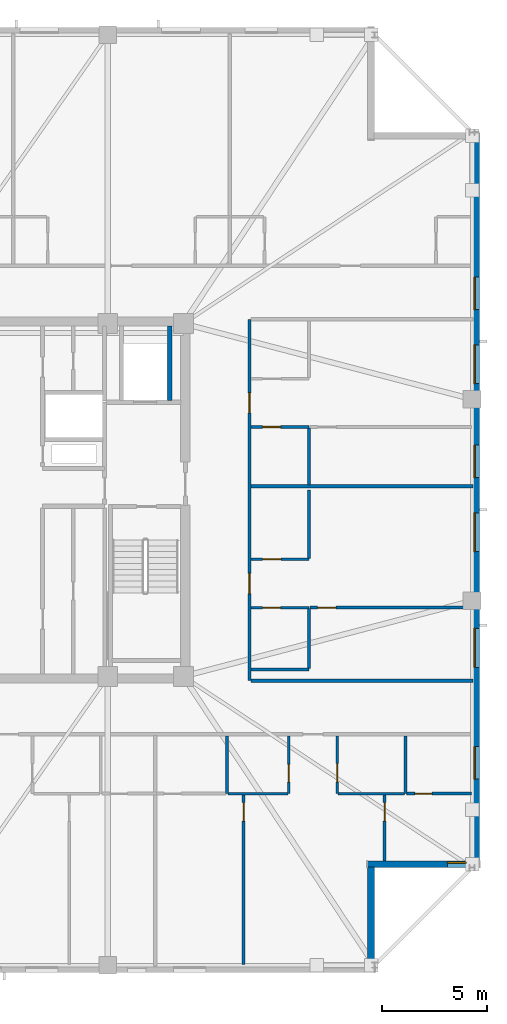
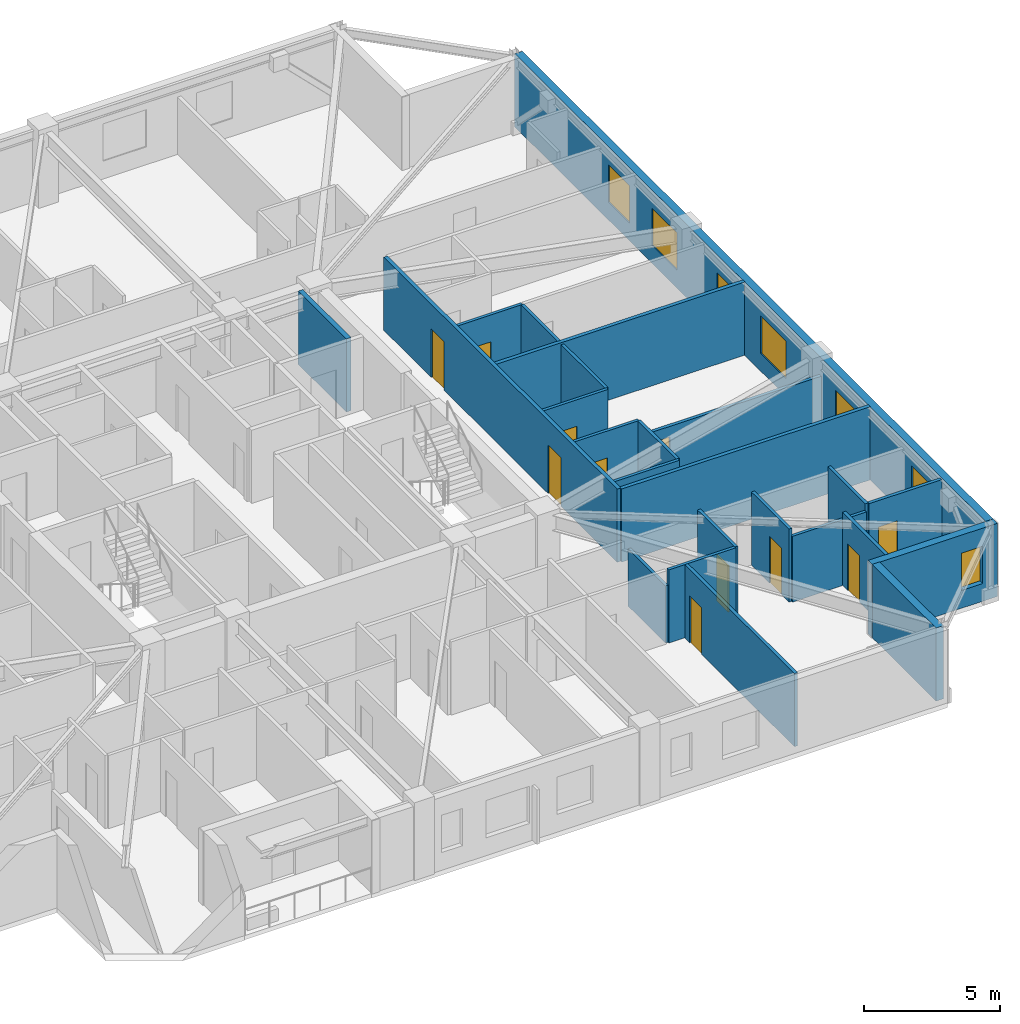
# One storey, part 10 of 17: 24 walls, 11 doors, 7 windows, 18 openings.
"""IFC4 building model written with IfcOpenShell, lengths in metres."""

from ifc_helpers import new_model, si_unit, direction, frame, frame_2d, origin, place, context, subcontext, project, spatial, rectangle, extrude, material, layer, layer_set, type_object, element, fill, save


model = new_model("IFC4")

# Units and contexts
model_context = context("Model", 3, precision=1e-05, world=origin(), true_north=direction((0.0, 1.0)))
body_context = subcontext(model_context, "Body", "Model", "MODEL_VIEW")
ifc_project = project(units=[si_unit("LENGTHUNIT", "METRE"), si_unit("AREAUNIT", "SQUARE_METRE"), si_unit("VOLUMEUNIT", "CUBIC_METRE"), si_unit("PLANEANGLEUNIT", "RADIAN"), si_unit("MASSUNIT", "GRAM", prefix="KILO")], contexts=[model_context])

# Site, building, storey
site_placement = place(None, origin())
site = spatial("IfcSite", under=ifc_project, at=site_placement, CompositionType="ELEMENT")
building_placement = place(site_placement, origin())
building = spatial("IfcBuilding", under=site, at=building_placement, Name="Cairnveth Concourse Tower", CompositionType="ELEMENT")
storey_placement = place(building_placement, frame((0.0, 0.0, 258.5)))
storey = spatial("IfcBuildingStorey", under=building, at=storey_placement, Name="L71", CompositionType="ELEMENT", Elevation=258.5)

# Wall, openings, doors
ifc_material_1 = material(Name="Gypsum Plasterboard Partition", Category="gypsum")
ifc_layer_1 = layer(ifc_material_1, 0.159912109375)
ifc_layer_set_1 = layer_set([ifc_layer_1], Name="Gypsum Plasterboard Partition")
wall_type_1 = type_object("IfcWallType", Name="ACOUSTIC PARTY WALL 180", PredefinedType="PARTITIONING", material=ifc_layer_set_1)
wall_1_placement = place(storey_placement, frame((63.550048828125, 30.39990234375, 0.0), z_axis=(0.0, 0.0, 1.0), x_axis=(0.0, 1.0, 0.0)))
wall_1 = element("IfcWall", 1, at=wall_1_placement, inside=storey, type_object=wall_type_1, Name="Interior Wall IW-L71-039", PredefinedType="PARTITIONING", context=body_context, shape_type="SweptSolid", body=[
    extrude(rectangle(XDim=17.2001953125, YDim=0.159912109375, at=frame_2d((8.60009765625, 0.0))), origin(), (0.0, 0.0, 1.0), 3.2900390625),
])
opening_1_placement = place(wall_1_placement, frame((4.14501953125, 0.0, 0.0)))
opening_1 = element("IfcOpeningElement", 2, at=opening_1_placement, cuts=wall_1, Name="Opening ID10", PredefinedType="OPENING", context=body_context, shape_type="SweptSolid", body=[
    extrude(rectangle(XDim=0.9599609375, YDim=2.179931640625, at=frame_2d((0.47998046875, 1.08984375))), frame((0.0, 0.08984375, 0.0), z_axis=(0.0, -1.0, 0.0), x_axis=(1.0, 0.0, 0.0)), (0.0, 0.0, 1.0), 0.179931640625),
])
opening_2_placement = place(wall_1_placement, frame((12.7451171875, 0.0, 0.0)))
opening_2 = element("IfcOpeningElement", 3, at=opening_2_placement, cuts=wall_1, Name="Opening ID10", PredefinedType="OPENING", context=body_context, shape_type="SweptSolid", body=[
    extrude(rectangle(XDim=0.9599609375, YDim=2.179931640625, at=frame_2d((0.47998046875, 1.08984375))), frame((0.0, 0.08984375, 0.0), z_axis=(0.0, -1.0, 0.0), x_axis=(1.0, 0.0, 0.0)), (0.0, 0.0, 1.0), 0.179931640625),
])
ifc_material_2 = material(Name="Solid Core Hardwood Timber Leaf", Category="wood")
door_type_1 = type_object("IfcDoorType", Name="FLAT ENTRANCE DOOR 960X2150", OperationType="NOTDEFINED", PredefinedType="DOOR", material=ifc_material_2)
door_1_placement = place(opening_1_placement, origin())
door_1 = element("IfcDoor", 4, at=door_1_placement, inside=storey, type_object=door_type_1, Name="Apartment L71E1 Entrance Door", OperationType="SINGLE_SWING_RIGHT", OverallHeight=2.179931640625, OverallWidth=0.9599609375, PredefinedType="DOOR", context=body_context, shape_type="SweptSolid", body=[
    extrude(rectangle(XDim=0.9599609375, YDim=2.179931640625, at=frame_2d((0.47998046875, 1.08984375))), frame((0.0, 0.02490234375, 0.0), z_axis=(0.0, -1.0, 0.0), x_axis=(1.0, 0.0, 0.0)), (0.0, 0.0, 1.0), 0.050048828125),
])
fill(opening_1, door_1)
door_2_placement = place(opening_2_placement, origin())
door_2 = element("IfcDoor", 5, at=door_2_placement, inside=storey, type_object=door_type_1, Name="Apartment L71E2 Entrance Door", OperationType="SINGLE_SWING_RIGHT", OverallHeight=2.179931640625, OverallWidth=0.9599609375, PredefinedType="DOOR", context=body_context, shape_type="SweptSolid", body=[
    extrude(rectangle(XDim=0.9599609375, YDim=2.179931640625, at=frame_2d((0.47998046875, 1.08984375))), frame((0.0, 0.02490234375, 0.0), z_axis=(0.0, -1.0, 0.0), x_axis=(1.0, 0.0, 0.0)), (0.0, 0.0, 1.0), 0.050048828125),
])
fill(opening_2, door_2)

# Walls
wall_2_placement = place(storey_placement, frame((63.614990234375, 30.39990234375, 0.0), z_axis=(0.0, 0.0, 1.0), x_axis=(1.0, 0.0, 0.0)))
element("IfcWall", 6, at=wall_2_placement, inside=storey, type_object=wall_type_1, Name="Interior Wall IW-L71-042", PredefinedType="PARTITIONING", context=body_context, shape_type="SweptSolid", body=[
    extrude(rectangle(XDim=10.580078125, YDim=0.159912109375, at=frame_2d((5.2900390625, 0.0))), origin(), (0.0, 0.0, 1.0), 3.2900390625),
])
wall_3_placement = place(storey_placement, frame((63.6298828125, 39.64990234375, 0.0), z_axis=(0.0, 0.0, 1.0), x_axis=(1.0, 0.0, 0.0)))
element("IfcWall", 7, at=wall_3_placement, inside=storey, type_object=wall_type_1, Name="Interior Wall IW-L71-105", PredefinedType="PARTITIONING", context=body_context, shape_type="SweptSolid", body=[
    extrude(rectangle(XDim=10.565185546875, YDim=0.159912109375, at=frame_2d((5.28271484375, 0.0))), origin(), (0.0, 0.0, 1.0), 3.2900390625),
])
ifc_material_3 = material(Name="Concrete N50 (50 MPa)", Category="concrete")
ifc_layer_2 = layer(ifc_material_3, 0.199951171875)
ifc_layer_set_2 = layer_set([ifc_layer_2], Name="Concrete N50 (50 MPa)")
wall_type_2 = type_object("IfcWallType", Name="FIRE SHAFT WALL 200", PredefinedType="SOLIDWALL", material=ifc_layer_set_2)
wall_4_placement = place(storey_placement, frame((59.75, 43.735107421875, 0.0), z_axis=(0.0, 0.0, 1.0), x_axis=(0.0, 1.0, 0.0)))
element("IfcWall", 8, at=wall_4_placement, inside=storey, type_object=wall_type_2, Name="Interior Wall IW-L71-024", PredefinedType="SOLIDWALL", context=body_context, shape_type="SweptSolid", body=[
    extrude(rectangle(XDim=3.554931640625, YDim=0.199951171875, at=frame_2d((1.77734375, 0.0))), origin(), (0.0, 0.0, 1.0), 3.2900390625),
])

# Wall, opening, door
ifc_layer_3 = layer(ifc_material_1, 0.139892578125)
ifc_layer_set_3 = layer_set([ifc_layer_3], Name="Gypsum Plasterboard Partition")
wall_type_3 = type_object("IfcWallType", Name="GYPSUM STUD PARTITION 140", PredefinedType="PARTITIONING", material=ifc_layer_set_3)
wall_5_placement = place(storey_placement, frame((63.267578125, 16.8798828125, 0.0), z_axis=(0.0, 0.0, 1.0), x_axis=(0.0, 1.0, 0.0)))
wall_5 = element("IfcWall", 9, at=wall_5_placement, inside=storey, type_object=wall_type_3, Name="Interior Wall IW-L71-071", PredefinedType="PARTITIONING", context=body_context, shape_type="SweptSolid", body=[
    extrude(rectangle(XDim=8.087646484375, YDim=0.139892578125, at=frame_2d((4.0439453125, 0.0))), origin(), (0.0, 0.0, 1.0), 3.2900390625),
])
opening_3_placement = place(wall_5_placement, frame((6.827392578125, 0.0, 0.0)))
opening_3 = element("IfcOpeningElement", 10, at=opening_3_placement, cuts=wall_5, Name="Opening ID18", PredefinedType="OPENING", context=body_context, shape_type="SweptSolid", body=[
    extrude(rectangle(XDim=0.8798828125, YDim=2.10009765625, at=frame_2d((0.43994140625, 1.050048828125))), frame((0.0, 0.079833984375, 0.0), z_axis=(0.0, -1.0, 0.0), x_axis=(1.0, 0.0, 0.0)), (0.0, 0.0, 1.0), 0.159912109375),
])
door_type_2 = type_object("IfcDoorType", Name="INTERIOR SINGLE DOOR 880X2100", OperationType="NOTDEFINED", PredefinedType="DOOR", material=ifc_material_2)
door_3_placement = place(opening_3_placement, origin())
door_3 = element("IfcDoor", 11, at=door_3_placement, inside=storey, type_object=door_type_2, Name="L71S3 Master Bedroom Door", OperationType="SINGLE_SWING_LEFT", OverallHeight=2.10009765625, OverallWidth=0.8798828125, PredefinedType="DOOR", context=body_context, shape_type="SweptSolid", body=[
    extrude(rectangle(XDim=0.8798828125, YDim=2.10009765625, at=frame_2d((0.43994140625, 1.050048828125))), frame((0.0, 0.02490234375, 0.0), z_axis=(0.0, -1.0, 0.0), x_axis=(1.0, 0.0, 0.0)), (0.0, 0.0, 1.0), 0.050048828125),
])
fill(opening_3, door_3)

wall_6_placement = place(storey_placement, frame((69.97998046875, 21.804931640625, 0.0), z_axis=(0.0, 0.0, 1.0), x_axis=(0.0, 1.0, 0.0)))
wall_6 = element("IfcWall", 12, at=wall_6_placement, inside=storey, type_object=wall_type_3, Name="Interior Wall IW-L71-073", PredefinedType="PARTITIONING", context=body_context, shape_type="SweptSolid", body=[
    extrude(rectangle(XDim=3.16259765625, YDim=0.139892578125, at=frame_2d((1.581298828125, 0.0))), origin(), (0.0, 0.0, 1.0), 3.2900390625),
])
opening_4_placement = place(wall_6_placement, frame((1.902587890625, 0.0, 0.0)))
opening_4 = element("IfcOpeningElement", 13, at=opening_4_placement, cuts=wall_6, Name="Opening ID18", PredefinedType="OPENING", context=body_context, shape_type="SweptSolid", body=[
    extrude(rectangle(XDim=0.8798828125, YDim=2.10009765625, at=frame_2d((0.43994140625, 1.050048828125))), frame((0.0, 0.079833984375, 0.0), z_axis=(0.0, -1.0, 0.0), x_axis=(1.0, 0.0, 0.0)), (0.0, 0.0, 1.0), 0.159912109375),
])
door_4_placement = place(opening_4_placement, origin())
door_4 = element("IfcDoor", 14, at=door_4_placement, inside=storey, type_object=door_type_2, Name="L71S3 Bedroom 2 Door", OperationType="SINGLE_SWING_LEFT", OverallHeight=2.10009765625, OverallWidth=0.8798828125, PredefinedType="DOOR", context=body_context, shape_type="SweptSolid", body=[
    extrude(rectangle(XDim=0.8798828125, YDim=2.10009765625, at=frame_2d((0.43994140625, 1.050048828125))), frame((0.0, 0.02490234375, 0.0), z_axis=(0.0, -1.0, 0.0), x_axis=(1.0, 0.0, 0.0)), (0.0, 0.0, 1.0), 0.050048828125),
])
fill(opening_4, door_4)

wall_7_placement = place(storey_placement, frame((71.023681640625, 25.017578125, 0.0), z_axis=(0.0, 0.0, 1.0), x_axis=(1.0, 0.0, 0.0)))
wall_7 = element("IfcWall", 15, at=wall_7_placement, inside=storey, type_object=wall_type_3, Name="Interior Wall IW-L71-074", PredefinedType="PARTITIONING", context=body_context, shape_type="SweptSolid", body=[
    extrude(rectangle(XDim=3.106201171875, YDim=0.139892578125, at=frame_2d((1.55322265625, 0.0))), origin(), (0.0, 0.0, 1.0), 3.2900390625),
])
opening_5_placement = place(wall_7_placement, frame((0.39990234375, 0.0, 0.0)))
opening_5 = element("IfcOpeningElement", 16, at=opening_5_placement, cuts=wall_7, Name="Opening ID22", PredefinedType="OPENING", context=body_context, shape_type="SweptSolid", body=[
    extrude(rectangle(XDim=0.820068359375, YDim=2.10009765625, at=frame_2d((0.41015625, 1.050048828125))), frame((0.0, 0.079833984375, 0.0), z_axis=(0.0, -1.0, 0.0), x_axis=(1.0, 0.0, 0.0)), (0.0, 0.0, 1.0), 0.159912109375),
])
door_type_3 = type_object("IfcDoorType", Name="INTERIOR WC DOOR 820X2100", OperationType="NOTDEFINED", PredefinedType="DOOR", material=ifc_material_2)
door_5_placement = place(opening_5_placement, origin())
door_5 = element("IfcDoor", 17, at=door_5_placement, inside=storey, type_object=door_type_3, Name="L71S3 Utility Door", OperationType="SINGLE_SWING_RIGHT", OverallHeight=2.10009765625, OverallWidth=0.820068359375, PredefinedType="DOOR", context=body_context, shape_type="SweptSolid", body=[
    extrude(rectangle(XDim=0.820068359375, YDim=2.10009765625, at=frame_2d((0.41015625, 1.050048828125))), frame((0.0, 0.02490234375, 0.0), z_axis=(0.0, -1.0, 0.0), x_axis=(1.0, 0.0, 0.0)), (0.0, 0.0, 1.0), 0.050048828125),
])
fill(opening_5, door_5)

wall_8_placement = place(storey_placement, frame((66.429931640625, 33.875, 0.0), z_axis=(0.0, 0.0, 1.0), x_axis=(1.0, 0.0, 0.0)))
wall_8 = element("IfcWall", 18, at=wall_8_placement, inside=storey, type_object=wall_type_3, Name="Interior Wall IW-L71-111", PredefinedType="PARTITIONING", context=body_context, shape_type="SweptSolid", body=[
    extrude(rectangle(XDim=7.690185546875, YDim=0.139892578125, at=frame_2d((3.84521484375, 0.0))), origin(), (0.0, 0.0, 1.0), 2.572998046875),
])
opening_6_placement = place(wall_8_placement, frame((0.360107421875, 0.0, 0.0)))
opening_6 = element("IfcOpeningElement", 19, at=opening_6_placement, cuts=wall_8, Name="Opening ID18", PredefinedType="OPENING", context=body_context, shape_type="SweptSolid", body=[
    extrude(rectangle(XDim=0.8798828125, YDim=2.10009765625, at=frame_2d((0.43994140625, 1.050048828125))), frame((0.0, 0.079833984375, 0.0), z_axis=(0.0, -1.0, 0.0), x_axis=(1.0, 0.0, 0.0)), (0.0, 0.0, 1.0), 0.159912109375),
])
door_6_placement = place(opening_6_placement, origin())
door_6 = element("IfcDoor", 20, at=door_6_placement, inside=storey, type_object=door_type_2, Name="L71E1 Master Bedroom Door", OperationType="SINGLE_SWING_LEFT", OverallHeight=2.10009765625, OverallWidth=0.8798828125, PredefinedType="DOOR", context=body_context, shape_type="SweptSolid", body=[
    extrude(rectangle(XDim=0.8798828125, YDim=2.10009765625, at=frame_2d((0.43994140625, 1.050048828125))), frame((0.0, 0.02490234375, 0.0), z_axis=(0.0, -1.0, 0.0), x_axis=(1.0, 0.0, 0.0)), (0.0, 0.0, 1.0), 0.050048828125),
])
fill(opening_6, door_6)

# Wall
ifc_layer_4 = layer(ifc_material_1, 0.1298828125)
ifc_layer_set_4 = layer_set([ifc_layer_4], Name="Gypsum Plasterboard Partition")
wall_type_4 = type_object("IfcWallType", Name="WET AREA PARTITION 140", PredefinedType="PLUMBINGWALL", material=ifc_layer_set_4)
wall_9_placement = place(storey_placement, frame((62.4736328125, 25.017578125, 0.0), z_axis=(0.0, 0.0, 1.0), x_axis=(0.0, 1.0, 0.0)))
element("IfcWall", 21, at=wall_9_placement, inside=storey, type_object=wall_type_4, Name="Interior Wall IW-L71-065", PredefinedType="PLUMBINGWALL", context=body_context, shape_type="SweptSolid", body=[
    extrude(rectangle(XDim=2.75, YDim=0.1298828125, at=frame_2d((1.375, 0.0))), origin(), (0.0, 0.0, 1.0), 2.572998046875),
])

# Wall, opening, door
wall_10_placement = place(storey_placement, frame((65.423583984375, 25.017578125, 0.0), z_axis=(0.0, 0.0, 1.0), x_axis=(0.0, 1.0, 0.0)))
wall_10 = element("IfcWall", 22, at=wall_10_placement, inside=storey, type_object=wall_type_4, Name="Interior Wall IW-L71-066", PredefinedType="PLUMBINGWALL", context=body_context, shape_type="SweptSolid", body=[
    extrude(rectangle(XDim=2.75, YDim=0.1298828125, at=frame_2d((1.375, 0.0))), origin(), (0.0, 0.0, 1.0), 3.2900390625),
])
opening_7_placement = place(wall_10_placement, frame((0.550048828125, 0.0, 0.0)))
opening_7 = element("IfcOpeningElement", 23, at=opening_7_placement, cuts=wall_10, Name="Opening ID21", PredefinedType="OPENING", context=body_context, shape_type="SweptSolid", body=[
    extrude(rectangle(XDim=0.85009765625, YDim=2.080078125, at=frame_2d((0.425048828125, 1.0400390625))), frame((0.0, 0.074951171875, 0.0), z_axis=(0.0, -1.0, 0.0), x_axis=(1.0, 0.0, 0.0)), (0.0, 0.0, 1.0), 0.14990234375),
])
door_type_4 = type_object("IfcDoorType", Name="INTERIOR WC DOOR 850X2100", OperationType="NOTDEFINED", PredefinedType="DOOR", material=ifc_material_2)
door_7_placement = place(opening_7_placement, origin())
door_7 = element("IfcDoor", 24, at=door_7_placement, inside=storey, type_object=door_type_4, Name="L71S3 Bathroom Door", OperationType="SINGLE_SWING_RIGHT", OverallHeight=2.080078125, OverallWidth=0.85009765625, PredefinedType="DOOR", context=body_context, shape_type="SweptSolid", body=[
    extrude(rectangle(XDim=0.85009765625, YDim=2.080078125, at=frame_2d((0.425048828125, 1.0400390625))), frame((0.0, 0.02490234375, 0.0), z_axis=(0.0, -1.0, 0.0), x_axis=(1.0, 0.0, 0.0)), (0.0, 0.0, 1.0), 0.050048828125),
])
fill(opening_7, door_7)

# Walls
wall_11_placement = place(storey_placement, frame((62.523681640625, 25.017578125, 0.0), z_axis=(0.0, 0.0, 1.0), x_axis=(1.0, 0.0, 0.0)))
element("IfcWall", 25, at=wall_11_placement, inside=storey, type_object=wall_type_4, Name="Interior Wall IW-L71-067", PredefinedType="PLUMBINGWALL", context=body_context, shape_type="SweptSolid", body=[
    extrude(rectangle(XDim=2.85009765625, YDim=0.1298828125, at=frame_2d((1.425048828125, 0.0))), origin(), (0.0, 0.0, 1.0), 3.2900390625),
])
wall_12_placement = place(storey_placement, frame((70.973876953125, 25.017578125, 0.0), z_axis=(0.0, 0.0, 1.0), x_axis=(0.0, 1.0, 0.0)))
element("IfcWall", 26, at=wall_12_placement, inside=storey, type_object=wall_type_4, Name="Interior Wall IW-L71-068", PredefinedType="PLUMBINGWALL", context=body_context, shape_type="SweptSolid", body=[
    extrude(rectangle(XDim=2.75, YDim=0.1298828125, at=frame_2d((1.375, 0.0))), origin(), (0.0, 0.0, 1.0), 3.2900390625),
])

# Wall, opening, door
wall_13_placement = place(storey_placement, frame((67.723876953125, 25.017578125, 0.0), z_axis=(0.0, 0.0, 1.0), x_axis=(0.0, 1.0, 0.0)))
wall_13 = element("IfcWall", 27, at=wall_13_placement, inside=storey, type_object=wall_type_4, Name="Interior Wall IW-L71-069", PredefinedType="PLUMBINGWALL", context=body_context, shape_type="SweptSolid", body=[
    extrude(rectangle(XDim=2.75, YDim=0.1298828125, at=frame_2d((1.375, 0.0))), origin(), (0.0, 0.0, 1.0), 3.2900390625),
])
opening_8_placement = place(wall_13_placement, frame((0.550048828125, 0.0, 0.0)))
opening_8 = element("IfcOpeningElement", 28, at=opening_8_placement, cuts=wall_13, Name="Opening ID18", PredefinedType="OPENING", context=body_context, shape_type="SweptSolid", body=[
    extrude(rectangle(XDim=0.8798828125, YDim=2.10009765625, at=frame_2d((0.43994140625, 1.050048828125))), frame((0.0, 0.074951171875, 0.0), z_axis=(0.0, -1.0, 0.0), x_axis=(1.0, 0.0, 0.0)), (0.0, 0.0, 1.0), 0.14990234375),
])
door_8_placement = place(opening_8_placement, origin())
door_8 = element("IfcDoor", 29, at=door_8_placement, inside=storey, type_object=door_type_2, Name="L71S3 Kitchen Door", OperationType="SINGLE_SWING_LEFT", OverallHeight=2.10009765625, OverallWidth=0.8798828125, PredefinedType="DOOR", context=body_context, shape_type="SweptSolid", body=[
    extrude(rectangle(XDim=0.8798828125, YDim=2.10009765625, at=frame_2d((0.43994140625, 1.050048828125))), frame((0.0, 0.02490234375, 0.0), z_axis=(0.0, -1.0, 0.0), x_axis=(1.0, 0.0, 0.0)), (0.0, 0.0, 1.0), 0.050048828125),
])
fill(opening_8, door_8)

# Walls
wall_14_placement = place(storey_placement, frame((67.773681640625, 25.017578125, 0.0), z_axis=(0.0, 0.0, 1.0), x_axis=(1.0, 0.0, 0.0)))
element("IfcWall", 30, at=wall_14_placement, inside=storey, type_object=wall_type_4, Name="Interior Wall IW-L71-070", PredefinedType="PLUMBINGWALL", context=body_context, shape_type="SweptSolid", body=[
    extrude(rectangle(XDim=3.150146484375, YDim=0.1298828125, at=frame_2d((1.5751953125, 0.0))), origin(), (0.0, 0.0, 1.0), 2.9580078125),
])
wall_15_placement = place(storey_placement, frame((63.6298828125, 30.925048828125, 0.0), z_axis=(0.0, 0.0, 1.0), x_axis=(1.0, 0.0, 0.0)))
element("IfcWall", 31, at=wall_15_placement, inside=storey, type_object=wall_type_4, Name="Interior Wall IW-L71-106", PredefinedType="PLUMBINGWALL", context=body_context, shape_type="SweptSolid", body=[
    extrude(rectangle(XDim=2.75, YDim=0.1298828125, at=frame_2d((1.375, 0.0))), origin(), (0.0, 0.0, 1.0), 3.2900390625),
])

# Wall, opening, door
wall_16_placement = place(storey_placement, frame((63.6298828125, 33.875, 0.0), z_axis=(0.0, 0.0, 1.0), x_axis=(1.0, 0.0, 0.0)))
wall_16 = element("IfcWall", 32, at=wall_16_placement, inside=storey, type_object=wall_type_4, Name="Interior Wall IW-L71-107", PredefinedType="PLUMBINGWALL", context=body_context, shape_type="SweptSolid", body=[
    extrude(rectangle(XDim=2.75, YDim=0.1298828125, at=frame_2d((1.375, 0.0))), origin(), (0.0, 0.0, 1.0), 3.2900390625),
])
opening_9_placement = place(wall_16_placement, frame((0.550048828125, 0.0, 0.0)))
opening_9 = element("IfcOpeningElement", 33, at=opening_9_placement, cuts=wall_16, Name="Opening ID21", PredefinedType="OPENING", context=body_context, shape_type="SweptSolid", body=[
    extrude(rectangle(XDim=0.85009765625, YDim=2.080078125, at=frame_2d((0.425048828125, 1.0400390625))), frame((0.0, 0.074951171875, 0.0), z_axis=(0.0, -1.0, 0.0), x_axis=(1.0, 0.0, 0.0)), (0.0, 0.0, 1.0), 0.14990234375),
])
door_9_placement = place(opening_9_placement, origin())
door_9 = element("IfcDoor", 34, at=door_9_placement, inside=storey, type_object=door_type_4, Name="L71E1 Bathroom Door", OperationType="SINGLE_SWING_LEFT", OverallHeight=2.080078125, OverallWidth=0.85009765625, PredefinedType="DOOR", context=body_context, shape_type="SweptSolid", body=[
    extrude(rectangle(XDim=0.85009765625, YDim=2.080078125, at=frame_2d((0.425048828125, 1.0400390625))), frame((0.0, 0.02490234375, 0.0), z_axis=(0.0, -1.0, 0.0), x_axis=(1.0, 0.0, 0.0)), (0.0, 0.0, 1.0), 0.050048828125),
])
fill(opening_9, door_9)

# Wall
wall_17_placement = place(storey_placement, frame((66.3798828125, 30.97509765625, 0.0), z_axis=(0.0, 0.0, 1.0), x_axis=(0.0, 1.0, 0.0)))
element("IfcWall", 35, at=wall_17_placement, inside=storey, type_object=wall_type_4, Name="Interior Wall IW-L71-108", PredefinedType="PLUMBINGWALL", context=body_context, shape_type="SweptSolid", body=[
    extrude(rectangle(XDim=2.849853515625, YDim=0.1298828125, at=frame_2d((1.4248046875, 0.0))), origin(), (0.0, 0.0, 1.0), 3.2900390625),
])

# Wall, opening, door
wall_18_placement = place(storey_placement, frame((63.6298828125, 36.175048828125, 0.0), z_axis=(0.0, 0.0, 1.0), x_axis=(1.0, 0.0, 0.0)))
wall_18 = element("IfcWall", 36, at=wall_18_placement, inside=storey, type_object=wall_type_4, Name="Interior Wall IW-L71-109", PredefinedType="PLUMBINGWALL", context=body_context, shape_type="SweptSolid", body=[
    extrude(rectangle(XDim=2.75, YDim=0.1298828125, at=frame_2d((1.375, 0.0))), origin(), (0.0, 0.0, 1.0), 3.2900390625),
])
opening_10_placement = place(wall_18_placement, frame((0.550048828125, 0.0, 0.0)))
opening_10 = element("IfcOpeningElement", 37, at=opening_10_placement, cuts=wall_18, Name="Opening ID18", PredefinedType="OPENING", context=body_context, shape_type="SweptSolid", body=[
    extrude(rectangle(XDim=0.8798828125, YDim=2.10009765625, at=frame_2d((0.43994140625, 1.050048828125))), frame((0.0, 0.074951171875, 0.0), z_axis=(0.0, -1.0, 0.0), x_axis=(1.0, 0.0, 0.0)), (0.0, 0.0, 1.0), 0.14990234375),
])
door_10_placement = place(opening_10_placement, origin())
door_10 = element("IfcDoor", 38, at=door_10_placement, inside=storey, type_object=door_type_2, Name="L71E1 Kitchen Door", OperationType="SINGLE_SWING_RIGHT", OverallHeight=2.10009765625, OverallWidth=0.8798828125, PredefinedType="DOOR", context=body_context, shape_type="SweptSolid", body=[
    extrude(rectangle(XDim=0.8798828125, YDim=2.10009765625, at=frame_2d((0.43994140625, 1.050048828125))), frame((0.0, 0.02490234375, 0.0), z_axis=(0.0, -1.0, 0.0), x_axis=(1.0, 0.0, 0.0)), (0.0, 0.0, 1.0), 0.050048828125),
])
fill(opening_10, door_10)

# Wall
wall_19_placement = place(storey_placement, frame((66.3798828125, 36.22509765625, 0.0), z_axis=(0.0, 0.0, 1.0), x_axis=(0.0, 1.0, 0.0)))
element("IfcWall", 39, at=wall_19_placement, inside=storey, type_object=wall_type_4, Name="Interior Wall IW-L71-110", PredefinedType="PLUMBINGWALL", context=body_context, shape_type="SweptSolid", body=[
    extrude(rectangle(XDim=3.239990234375, YDim=0.1298828125, at=frame_2d((1.6201171875, 0.0))), origin(), (0.0, 0.0, 1.0), 3.2900390625),
])

# Wall, opening, door
wall_20_placement = place(storey_placement, frame((63.6298828125, 42.47509765625, 0.0), z_axis=(0.0, 0.0, 1.0), x_axis=(1.0, 0.0, 0.0)))
wall_20 = element("IfcWall", 40, at=wall_20_placement, inside=storey, type_object=wall_type_4, Name="Interior Wall IW-L71-112", PredefinedType="PLUMBINGWALL", context=body_context, shape_type="SweptSolid", body=[
    extrude(rectangle(XDim=2.75, YDim=0.1298828125, at=frame_2d((1.375, 0.0))), origin(), (0.0, 0.0, 1.0), 3.2900390625),
])
opening_11_placement = place(wall_20_placement, frame((0.550048828125, 0.0, 0.0)))
opening_11 = element("IfcOpeningElement", 41, at=opening_11_placement, cuts=wall_20, Name="Opening ID21", PredefinedType="OPENING", context=body_context, shape_type="SweptSolid", body=[
    extrude(rectangle(XDim=0.85009765625, YDim=2.080078125, at=frame_2d((0.425048828125, 1.0400390625))), frame((0.0, 0.074951171875, 0.0), z_axis=(0.0, -1.0, 0.0), x_axis=(1.0, 0.0, 0.0)), (0.0, 0.0, 1.0), 0.14990234375),
])
door_11_placement = place(opening_11_placement, origin())
door_11 = element("IfcDoor", 42, at=door_11_placement, inside=storey, type_object=door_type_4, Name="L71E2 Bathroom Door", OperationType="SINGLE_SWING_LEFT", OverallHeight=2.080078125, OverallWidth=0.85009765625, PredefinedType="DOOR", context=body_context, shape_type="SweptSolid", body=[
    extrude(rectangle(XDim=0.85009765625, YDim=2.080078125, at=frame_2d((0.425048828125, 1.0400390625))), frame((0.0, 0.02490234375, 0.0), z_axis=(0.0, -1.0, 0.0), x_axis=(1.0, 0.0, 0.0)), (0.0, 0.0, 1.0), 0.050048828125),
])
fill(opening_11, door_11)

# Wall
wall_21_placement = place(storey_placement, frame((66.3798828125, 39.715087890625, 0.0), z_axis=(0.0, 0.0, 1.0), x_axis=(0.0, 1.0, 0.0)))
element("IfcWall", 43, at=wall_21_placement, inside=storey, type_object=wall_type_4, Name="Interior Wall IW-L71-113", PredefinedType="PLUMBINGWALL", context=body_context, shape_type="SweptSolid", body=[
    extrude(rectangle(XDim=2.7099609375, YDim=0.1298828125, at=frame_2d((1.35498046875, 0.0))), origin(), (0.0, 0.0, 1.0), 3.2900390625),
])

# Wall, openings, windows
ifc_material_4 = material(Name="Melbourne Buff Fired Clay Brick Masonry", Category="masonry")
ifc_layer_5 = layer(ifc_material_4, 0.320068359375)
ifc_layer_set_5 = layer_set([ifc_layer_5], Name="Melbourne Buff Fired Clay Brick Masonry")
wall_type_5 = type_object("IfcWallType", Name="ZONE 3 BRICK PIER SPANDREL WALL 320", PredefinedType="SOLIDWALL", material=ifc_layer_set_5)
wall_22_placement = place(storey_placement, frame((74.340087890625, 56.5, 0.0), z_axis=(0.0, 0.0, 1.0), x_axis=(0.0, -1.0, 0.0)))
wall_22 = element("IfcWall", 44, at=wall_22_placement, inside=storey, type_object=wall_type_5, Name="Exterior Wall EW-L71-S09", PredefinedType="SOLIDWALL", context=body_context, shape_type="SweptSolid", body=[
    extrude(rectangle(XDim=34.701904296875, YDim=0.320068359375, at=frame_2d((17.35107421875, 0.0))), origin(), (0.0, 0.0, 1.0), 3.2900390625),
])
opening_12_placement = place(wall_22_placement, frame((6.887939453125, 0.0, 0.800048828125)))
opening_12 = element("IfcOpeningElement", 45, at=opening_12_placement, cuts=wall_22, Name="Opening W07", PredefinedType="OPENING", context=body_context, shape_type="SweptSolid", body=[
    extrude(rectangle(XDim=1.550048828125, YDim=1.677978515625, at=frame_2d((0.77490234375, 0.8388671875))), frame((0.0, 0.169921875, 0.0), z_axis=(0.0, -1.0, 0.0), x_axis=(1.0, 0.0, 0.0)), (0.0, 0.0, 1.0), 0.340087890625),
])
opening_13_placement = place(wall_22_placement, frame((10.113037109375, 0.0, 0.800048828125)))
opening_13 = element("IfcOpeningElement", 46, at=opening_13_placement, cuts=wall_22, Name="Opening W08", PredefinedType="OPENING", context=body_context, shape_type="SweptSolid", body=[
    extrude(rectangle(XDim=1.85009765625, YDim=1.677978515625, at=frame_2d((0.925048828125, 0.8388671875))), frame((0.0, 0.169921875, 0.0), z_axis=(0.0, -1.0, 0.0), x_axis=(1.0, 0.0, 0.0)), (0.0, 0.0, 1.0), 0.340087890625),
])
opening_14_placement = place(wall_22_placement, frame((14.888427734375, 0.0, 0.800048828125)))
opening_14 = element("IfcOpeningElement", 47, at=opening_14_placement, cuts=wall_22, Name="Opening W07", PredefinedType="OPENING", context=body_context, shape_type="SweptSolid", body=[
    extrude(rectangle(XDim=1.550048828125, YDim=1.677978515625, at=frame_2d((0.77490234375, 0.8388671875))), frame((0.0, 0.169921875, 0.0), z_axis=(0.0, -1.0, 0.0), x_axis=(1.0, 0.0, 0.0)), (0.0, 0.0, 1.0), 0.340087890625),
])
opening_15_placement = place(wall_22_placement, frame((18.113525390625, 0.0, 0.800048828125)))
opening_15 = element("IfcOpeningElement", 48, at=opening_15_placement, cuts=wall_22, Name="Opening W08", PredefinedType="OPENING", context=body_context, shape_type="SweptSolid", body=[
    extrude(rectangle(XDim=1.85009765625, YDim=1.677978515625, at=frame_2d((0.925048828125, 0.8388671875))), frame((0.0, 0.169921875, 0.0), z_axis=(0.0, -1.0, 0.0), x_axis=(1.0, 0.0, 0.0)), (0.0, 0.0, 1.0), 0.340087890625),
])
opening_16_placement = place(wall_22_placement, frame((23.614013671875, 0.0, 0.800048828125)))
opening_16 = element("IfcOpeningElement", 49, at=opening_16_placement, cuts=wall_22, Name="Opening W08", PredefinedType="OPENING", context=body_context, shape_type="SweptSolid", body=[
    extrude(rectangle(XDim=1.85009765625, YDim=1.677978515625, at=frame_2d((0.925048828125, 0.8388671875))), frame((0.0, 0.169921875, 0.0), z_axis=(0.0, -1.0, 0.0), x_axis=(1.0, 0.0, 0.0)), (0.0, 0.0, 1.0), 0.340087890625),
])
opening_17_placement = place(wall_22_placement, frame((29.239501953125, 0.0, 0.800048828125)))
opening_17 = element("IfcOpeningElement", 50, at=opening_17_placement, cuts=wall_22, Name="Opening W07", PredefinedType="OPENING", context=body_context, shape_type="SweptSolid", body=[
    extrude(rectangle(XDim=1.550048828125, YDim=1.677978515625, at=frame_2d((0.77490234375, 0.8388671875))), frame((0.0, 0.169921875, 0.0), z_axis=(0.0, -1.0, 0.0), x_axis=(1.0, 0.0, 0.0)), (0.0, 0.0, 1.0), 0.340087890625),
])
ifc_material_5 = material(Name="Double Glazed Low-E Clear Glass", Category="glass")
window_type_1 = type_object("IfcWindowType", Name="DEEP-SET APARTMENT LIVING WINDOW 1850X1850", PartitioningType="DOUBLE_PANEL_VERTICAL", PredefinedType="WINDOW", material=ifc_material_5)
window_1_placement = place(opening_13_placement, origin())
window_1 = element("IfcWindow", 51, at=window_1_placement, inside=storey, type_object=window_type_1, Name="Gothic Lancet Window L71-9-3", OverallHeight=1.677978515625, OverallWidth=1.85009765625, PartitioningType="SINGLE_PANEL", PredefinedType="WINDOW", context=body_context, shape_type="SweptSolid", body=[
    extrude(rectangle(XDim=1.85009765625, YDim=1.677978515625, at=frame_2d((0.925048828125, 0.8388671875))), frame((0.0, -0.050048828125, 0.0), z_axis=(0.0, -1.0, 0.0), x_axis=(1.0, 0.0, 0.0)), (0.0, 0.0, 1.0), 0.06005859375),
])
fill(opening_13, window_1)
window_2_placement = place(opening_15_placement, origin())
window_2 = element("IfcWindow", 52, at=window_2_placement, inside=storey, type_object=window_type_1, Name="Gothic Lancet Window L71-9-5", OverallHeight=1.677978515625, OverallWidth=1.85009765625, PartitioningType="SINGLE_PANEL", PredefinedType="WINDOW", context=body_context, shape_type="SweptSolid", body=[
    extrude(rectangle(XDim=1.85009765625, YDim=1.677978515625, at=frame_2d((0.925048828125, 0.8388671875))), frame((0.0, -0.050048828125, 0.0), z_axis=(0.0, -1.0, 0.0), x_axis=(1.0, 0.0, 0.0)), (0.0, 0.0, 1.0), 0.06005859375),
])
fill(opening_15, window_2)
window_3_placement = place(opening_16_placement, origin())
window_3 = element("IfcWindow", 53, at=window_3_placement, inside=storey, type_object=window_type_1, Name="Gothic Lancet Window L71-9-7", OverallHeight=1.677978515625, OverallWidth=1.85009765625, PartitioningType="SINGLE_PANEL", PredefinedType="WINDOW", context=body_context, shape_type="SweptSolid", body=[
    extrude(rectangle(XDim=1.85009765625, YDim=1.677978515625, at=frame_2d((0.925048828125, 0.8388671875))), frame((0.0, -0.050048828125, 0.0), z_axis=(0.0, -1.0, 0.0), x_axis=(1.0, 0.0, 0.0)), (0.0, 0.0, 1.0), 0.06005859375),
])
fill(opening_16, window_3)
window_type_2 = type_object("IfcWindowType", Name="DEEP-SET APARTMENT WINDOW 1550X1800", PartitioningType="DOUBLE_PANEL_VERTICAL", PredefinedType="WINDOW", material=ifc_material_5)
window_4_placement = place(opening_12_placement, origin())
window_4 = element("IfcWindow", 54, at=window_4_placement, inside=storey, type_object=window_type_2, Name="Gothic Lancet Window L71-9-2", OverallHeight=1.677978515625, OverallWidth=1.550048828125, PartitioningType="SINGLE_PANEL", PredefinedType="WINDOW", context=body_context, shape_type="SweptSolid", body=[
    extrude(rectangle(XDim=1.550048828125, YDim=1.677978515625, at=frame_2d((0.77490234375, 0.8388671875))), frame((0.0, -0.050048828125, 0.0), z_axis=(0.0, -1.0, 0.0), x_axis=(1.0, 0.0, 0.0)), (0.0, 0.0, 1.0), 0.06005859375),
])
fill(opening_12, window_4)
window_5_placement = place(opening_14_placement, origin())
window_5 = element("IfcWindow", 55, at=window_5_placement, inside=storey, type_object=window_type_2, Name="Gothic Lancet Window L71-9-4", OverallHeight=1.677978515625, OverallWidth=1.550048828125, PartitioningType="SINGLE_PANEL", PredefinedType="WINDOW", context=body_context, shape_type="SweptSolid", body=[
    extrude(rectangle(XDim=1.550048828125, YDim=1.677978515625, at=frame_2d((0.77490234375, 0.8388671875))), frame((0.0, -0.050048828125, 0.0), z_axis=(0.0, -1.0, 0.0), x_axis=(1.0, 0.0, 0.0)), (0.0, 0.0, 1.0), 0.06005859375),
])
fill(opening_14, window_5)
window_6_placement = place(opening_17_placement, origin())
window_6 = element("IfcWindow", 56, at=window_6_placement, inside=storey, type_object=window_type_2, Name="Gothic Lancet Window L71-9-8", OverallHeight=1.677978515625, OverallWidth=1.550048828125, PartitioningType="SINGLE_PANEL", PredefinedType="WINDOW", context=body_context, shape_type="SweptSolid", body=[
    extrude(rectangle(XDim=1.550048828125, YDim=1.677978515625, at=frame_2d((0.77490234375, 0.8388671875))), frame((0.0, -0.050048828125, 0.0), z_axis=(0.0, -1.0, 0.0), x_axis=(1.0, 0.0, 0.0)), (0.0, 0.0, 1.0), 0.06005859375),
])
fill(opening_17, window_6)

# Wall, opening, window
wall_23_placement = place(storey_placement, frame((74.5, 21.659912109375, 0.0), z_axis=(0.0, 0.0, 1.0), x_axis=(-1.0, 0.0, 0.0)))
wall_23 = element("IfcWall", 57, at=wall_23_placement, inside=storey, type_object=wall_type_5, Name="Exterior Wall EW-L71-S10", PredefinedType="SOLIDWALL", context=body_context, shape_type="SweptSolid", body=[
    extrude(rectangle(XDim=5.320068359375, YDim=0.320068359375, at=frame_2d((2.66015625, 0.0))), origin(), (0.0, 0.0, 1.0), 3.2900390625),
])
opening_18_placement = place(wall_23_placement, frame((0.6298828125, 0.0, 0.800048828125)))
opening_18 = element("IfcOpeningElement", 58, at=opening_18_placement, cuts=wall_23, Name="Opening W13", PredefinedType="OPENING", context=body_context, shape_type="SweptSolid", body=[
    extrude(rectangle(XDim=0.89990234375, YDim=1.677978515625, at=frame_2d((0.449951171875, 0.8388671875))), frame((0.0, 0.169921875, 0.0), z_axis=(0.0, -1.0, 0.0), x_axis=(1.0, 0.0, 0.0)), (0.0, 0.0, 1.0), 0.340087890625),
])
window_type_3 = type_object("IfcWindowType", Name="DEEP-SET BEDROOM LANCET WINDOW 900X1750", PartitioningType="DOUBLE_PANEL_VERTICAL", PredefinedType="WINDOW", material=ifc_material_5)
window_7_placement = place(opening_18_placement, origin())
window_7 = element("IfcWindow", 59, at=window_7_placement, inside=storey, type_object=window_type_3, Name="Dwelling Lancet Window L71-DW3", OverallHeight=1.677978515625, OverallWidth=0.89990234375, PartitioningType="SINGLE_PANEL", PredefinedType="WINDOW", context=body_context, shape_type="SweptSolid", body=[
    extrude(rectangle(XDim=0.89990234375, YDim=1.677978515625, at=frame_2d((0.449951171875, 0.8388671875))), frame((0.0, -0.0400390625, 0.0), z_axis=(0.0, -1.0, 0.0), x_axis=(1.0, 0.0, 0.0)), (0.0, 0.0, 1.0), 0.06005859375),
])
fill(opening_18, window_7)

# Wall
wall_24_placement = place(storey_placement, frame((69.340087890625, 21.52197265625, 0.0), z_axis=(0.0, 0.0, 1.0), x_axis=(0.0, -1.0, 0.0)))
element("IfcWall", 60, at=wall_24_placement, inside=storey, type_object=wall_type_5, Name="Exterior Wall EW-L71-S11", PredefinedType="SOLIDWALL", context=body_context, shape_type="SweptSolid", body=[
    extrude(rectangle(XDim=4.723876953125, YDim=0.320068359375, at=frame_2d((2.36181640625, 0.0))), origin(), (0.0, 0.0, 1.0), 3.2900390625),
])

save(model, "model.ifc")
